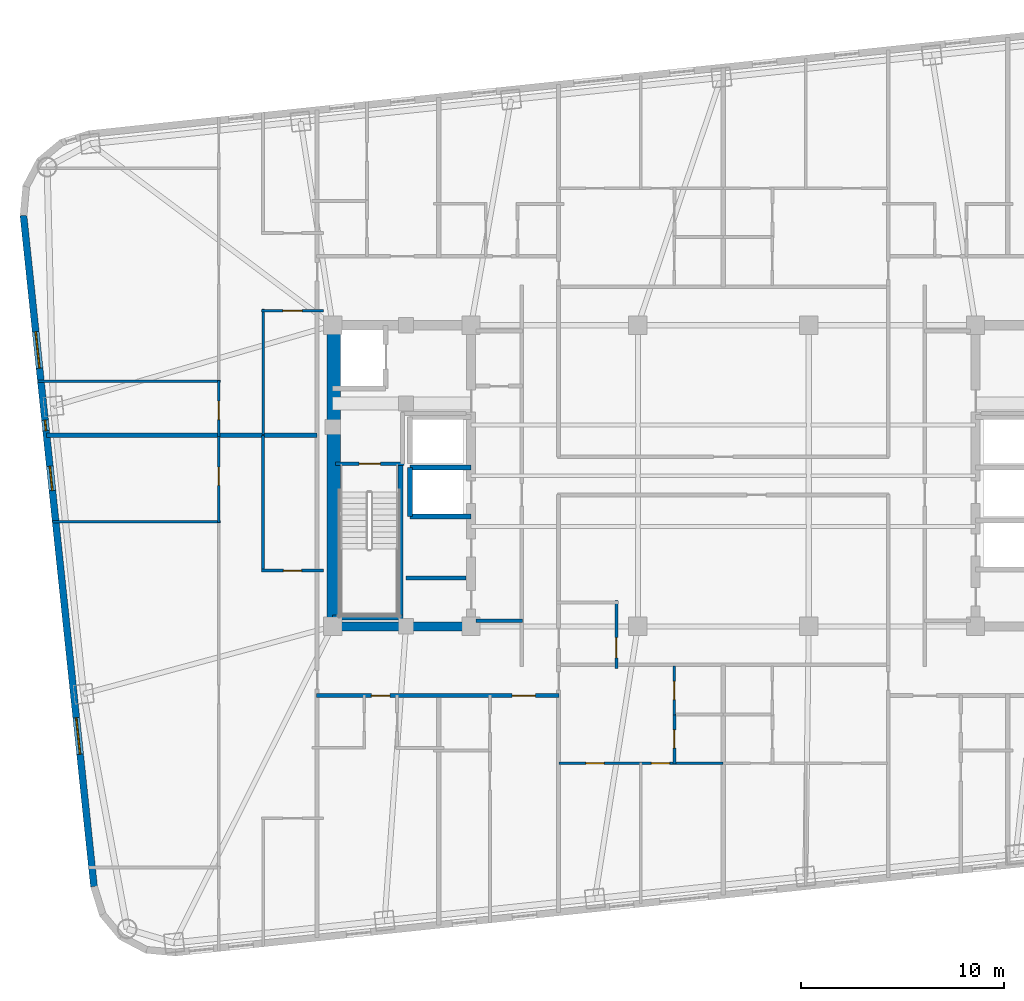
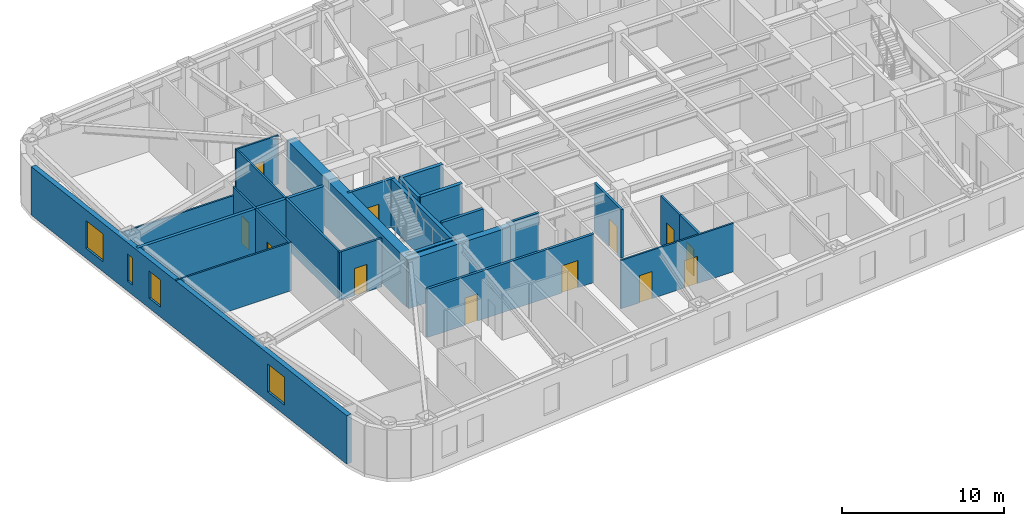
# One storey, part 3 of 11: 25 walls, 12 doors, 4 windows, 16 openings.
"""IFC4 building model written with IfcOpenShell, lengths in metres."""

from ifc_helpers import new_model, si_unit, direction, frame, frame_2d, origin, place, context, subcontext, project, spatial, rectangle, extrude, material, layer, layer_set, type_object, element, fill, save


model = new_model("IFC4")

# Units and contexts
model_context = context("Model", 3, precision=1e-05, world=origin(), true_north=direction((0.0, 1.0)))
body_context = subcontext(model_context, "Body", "Model", "MODEL_VIEW")
ifc_project = project(units=[si_unit("LENGTHUNIT", "METRE"), si_unit("AREAUNIT", "SQUARE_METRE"), si_unit("VOLUMEUNIT", "CUBIC_METRE"), si_unit("PLANEANGLEUNIT", "RADIAN"), si_unit("MASSUNIT", "GRAM", prefix="KILO")], contexts=[model_context])

# Site, building, storey
site_placement = place(None, origin())
site = spatial("IfcSite", under=ifc_project, at=site_placement, CompositionType="ELEMENT")
building_placement = place(site_placement, origin())
building = spatial("IfcBuilding", under=site, at=building_placement, Name="Voryun Gate Residences", CompositionType="ELEMENT")
storey_placement = place(building_placement, frame((0.0, 0.0, 175.5)))
storey = spatial("IfcBuildingStorey", under=building, at=storey_placement, Name="L43", CompositionType="ELEMENT", Elevation=175.5)

# Walls
ifc_material_1 = material(Name="Concrete C50/60", Category="concrete")
ifc_layer_1 = layer(ifc_material_1, 0.449951171875, Name="CW_CORE_450")
ifc_layer_set_1 = layer_set([ifc_layer_1], Name="Concrete C50/60")
wall_type_1 = type_object("IfcWallType", Name="CW_CORE_450", PredefinedType="SHEAR", material=ifc_layer_set_1)
wall_1_placement = place(storey_placement, frame((-19.425048828125, -7.39990234375, 0.0), z_axis=(0.0, 0.0, 1.0), x_axis=(1.0, 0.0, 0.0)))
element("IfcWall", 1, at=wall_1_placement, inside=storey, type_object=wall_type_1, Name="L43 Core shear wall CW-L43-WS", PredefinedType="SHEAR", context=body_context, shape_type="SweptSolid", body=[
    extrude(rectangle(XDim=7.25, YDim=0.449951171875, at=frame_2d((3.625, 0.0))), origin(), (0.0, 0.0, 1.0), 3.64990234375),
])
ifc_material_2 = material(Name="Concrete C60/75", Category="concrete")
ifc_layer_2 = layer(ifc_material_2, 0.64990234375, Name="CW_CORE_650")
ifc_layer_set_2 = layer_set([ifc_layer_2], Name="Concrete C60/75")
wall_type_2 = type_object("IfcWallType", Name="CW_CORE_650", PredefinedType="SHEAR", material=ifc_layer_set_2)
wall_2_placement = place(storey_placement, frame((-19.14501953125, -7.39990234375, 0.0), z_axis=(0.0, 0.0, 1.0), x_axis=(0.0, 1.0, 0.0)))
element("IfcWall", 2, at=wall_2_placement, inside=storey, type_object=wall_type_2, Name="L43 Core shear wall CW-L43-WW", PredefinedType="SHEAR", context=body_context, shape_type="SweptSolid", body=[
    extrude(rectangle(XDim=14.7998046875, YDim=0.64990234375, at=frame_2d((7.39990234375, 0.0))), origin(), (0.0, 0.0, 1.0), 3.64990234375),
])

# Wall, opening, door
ifc_material_3 = material(Name="Gypsum acoustic fireboard")
ifc_layer_3 = layer(ifc_material_3, 0.179931640625, Name="W_CORR_RATED_180")
ifc_layer_set_3 = layer_set([ifc_layer_3], Name="Gypsum acoustic fireboard")
wall_type_3 = type_object("IfcWallType", Name="W_CORR_RATED_180", PredefinedType="PARTITIONING", material=ifc_layer_set_3)
wall_3_placement = place(storey_placement, frame((-19.06005859375, 0.60009765625, 0.0), z_axis=(0.0, 0.0, 1.0), x_axis=(1.0, 0.0, 0.0)))
wall_3 = element("IfcWall", 3, at=wall_3_placement, inside=storey, type_object=wall_type_3, Name="Partition wall WP-L43-STV-W", PredefinedType="PARTITIONING", context=body_context, shape_type="SweptSolid", body=[
    extrude(rectangle(XDim=3.360107421875, YDim=0.179931640625, at=frame_2d((1.68017578125, 0.0))), origin(), (0.0, 0.0, 1.0), 3.64990234375),
])
opening_1_placement = place(wall_3_placement, frame((1.155029296875, 0.0, 0.0)))
opening_1 = element("IfcOpeningElement", 4, at=opening_1_placement, cuts=wall_3, Name="Opening D-FD60-1", PredefinedType="OPENING", context=body_context, shape_type="SweptSolid", body=[
    extrude(rectangle(XDim=1.050048828125, YDim=2.050048828125, at=frame_2d((0.52490234375, 1.02490234375))), frame((0.0, 0.099853515625, 0.0), z_axis=(0.0, -1.0, 0.0), x_axis=(1.0, 0.0, 0.0)), (0.0, 0.0, 1.0), 0.199951171875),
])
ifc_material_4 = material(Name="Painted steel fire door", Category="steel")
door_type_1 = type_object("IfcDoorType", Name="DR_FD60_STAIR_1050", OperationType="NOTDEFINED", PredefinedType="DOOR", material=ifc_material_4)
door_1_placement = place(opening_1_placement, origin())
door_1 = element("IfcDoor", 5, at=door_1_placement, inside=storey, type_object=door_type_1, Name="Door DR-L43-ST-W", OperationType="SINGLE_SWING_LEFT", OverallHeight=2.050048828125, OverallWidth=1.050048828125, PredefinedType="DOOR", context=body_context, shape_type="SweptSolid", body=[
    extrude(rectangle(XDim=1.050048828125, YDim=2.050048828125, at=frame_2d((0.52490234375, 1.02490234375))), frame((0.0, 0.02490234375, 0.0), z_axis=(0.0, -1.0, 0.0), x_axis=(1.0, 0.0, 0.0)), (0.0, 0.0, 1.0), 0.050048828125),
])
fill(opening_1, door_1)

# Wall
wall_4_placement = place(storey_placement, frame((-12.14990234375, -7.1201171875, 0.0), z_axis=(0.0, 0.0, 1.0), x_axis=(1.0, 0.0, 0.0)))
element("IfcWall", 6, at=wall_4_placement, inside=storey, type_object=wall_type_3, Name="Partition wall WP-L43-PLBS-W", PredefinedType="PARTITIONING", context=body_context, shape_type="SweptSolid", body=[
    extrude(rectangle(XDim=2.27001953125, YDim=0.179931640625, at=frame_2d((1.135009765625, 0.0))), origin(), (0.0, 0.0, 1.0), 3.64990234375),
])

# Wall, openings, doors
wall_5_placement = place(storey_placement, frame((-20.0, -10.800048828125, 0.0), z_axis=(0.0, 0.0, 1.0), x_axis=(1.0, 0.0, 0.0)))
wall_5 = element("IfcWall", 7, at=wall_5_placement, inside=storey, type_object=wall_type_3, Name="Partition wall WP-L43-SCORR-W", PredefinedType="PARTITIONING", context=body_context, shape_type="SweptSolid", body=[
    extrude(rectangle(XDim=11.919921875, YDim=0.179931640625, at=frame_2d((5.9599609375, 0.0))), origin(), (0.0, 0.0, 1.0), 3.64990234375),
])
opening_2_placement = place(wall_5_placement, frame((2.705078125, 0.0, 0.0)))
opening_2 = element("IfcOpeningElement", 8, at=opening_2_placement, cuts=wall_5, Name="Opening D-INT-2", PredefinedType="OPENING", context=body_context, shape_type="SweptSolid", body=[
    extrude(rectangle(XDim=0.89990234375, YDim=2.050048828125, at=frame_2d((0.449951171875, 1.02490234375))), frame((0.0, 0.099853515625, 0.0), z_axis=(0.0, -1.0, 0.0), x_axis=(1.0, 0.0, 0.0)), (0.0, 0.0, 1.0), 0.199951171875),
])
opening_3_placement = place(wall_5_placement, frame((9.617919921875, 0.0, 0.0)))
opening_3 = element("IfcOpeningElement", 9, at=opening_3_placement, cuts=wall_5, Name="Opening D-UNIT-1", PredefinedType="OPENING", context=body_context, shape_type="SweptSolid", body=[
    extrude(rectangle(XDim=1.14990234375, YDim=2.050048828125, at=frame_2d((0.574951171875, 1.02490234375))), frame((0.0, 0.099853515625, 0.0), z_axis=(0.0, -1.0, 0.0), x_axis=(1.0, 0.0, 0.0)), (0.0, 0.0, 1.0), 0.199951171875),
])
ifc_material_5 = material(Name="Architectural oak veneer")
door_type_2 = type_object("IfcDoorType", Name="DR_INT_BATH_900", OperationType="NOTDEFINED", PredefinedType="DOOR", material=ifc_material_5)
door_2_placement = place(opening_2_placement, origin())
door_2 = element("IfcDoor", 10, at=door_2_placement, inside=storey, type_object=door_type_2, Name="Door DR-L43-SENT-1", OperationType="SINGLE_SWING_RIGHT", OverallHeight=2.050048828125, OverallWidth=0.89990234375, PredefinedType="DOOR", context=body_context, shape_type="SweptSolid", body=[
    extrude(rectangle(XDim=0.89990234375, YDim=2.050048828125, at=frame_2d((0.449951171875, 1.02490234375))), frame((0.0, 0.02490234375, 0.0), z_axis=(0.0, -1.0, 0.0), x_axis=(1.0, 0.0, 0.0)), (0.0, 0.0, 1.0), 0.050048828125),
])
fill(opening_2, door_2)
ifc_material_6 = material(Name="Armoured timber-clad fire door", Category="wood")
door_type_3 = type_object("IfcDoorType", Name="DR_UNIT_ENTRY_1150", OperationType="NOTDEFINED", PredefinedType="DOOR", material=ifc_material_6)
door_3_placement = place(opening_3_placement, origin())
door_3 = element("IfcDoor", 11, at=door_3_placement, inside=storey, type_object=door_type_3, Name="Door DR-L43-SENT-2", OperationType="SINGLE_SWING_LEFT", OverallHeight=2.050048828125, OverallWidth=1.14990234375, PredefinedType="DOOR", context=body_context, shape_type="SweptSolid", body=[
    extrude(rectangle(XDim=1.14990234375, YDim=2.050048828125, at=frame_2d((0.574951171875, 1.02490234375))), frame((0.0, 0.02490234375, 0.0), z_axis=(0.0, -1.0, 0.0), x_axis=(1.0, 0.0, 0.0)), (0.0, 0.0, 1.0), 0.050048828125),
])
fill(opening_3, door_3)

# Wall, openings, windows
ifc_material_7 = material(Name="Charcoal terracotta masonry", Category="masonry")
ifc_layer_4 = layer(ifc_material_7, 0.340087890625, Name="W_EXT_TERRACOTTA_340")
ifc_layer_set_4 = layer_set([ifc_layer_4], Name="Charcoal terracotta masonry")
wall_type_4 = type_object("IfcWallType", Name="W_EXT_TERRACOTTA_340", PredefinedType="ELEMENTEDWALL", material=ifc_layer_set_4)
wall_6_placement = place(storey_placement, frame((-30.934326171875, -20.189697265625, 0.0), z_axis=(0.0, 0.0, 1.0), x_axis=(-0.10452691388, 0.994522058214, 0.0)))
wall_6 = element("IfcWall", 12, at=wall_6_placement, inside=storey, type_object=wall_type_4, Name="Exterior wall WEXT-L43-06", PredefinedType="ELEMENTEDWALL", context=body_context, shape_type="SweptSolid", body=[
    extrude(rectangle(XDim=33.16650390625, YDim=0.340087890625, at=frame_2d((16.583251953125, 0.0))), origin(), (0.0, 0.0, 1.0), 3.64990234375),
])
opening_4_placement = place(wall_6_placement, frame((6.54150390625, 0.0, 0.75)))
opening_4 = element("IfcOpeningElement", 13, at=opening_4_placement, cuts=wall_6, Name="Opening WN1", PredefinedType="OPENING", context=body_context, shape_type="SweptSolid", body=[
    extrude(rectangle(XDim=1.800048828125, YDim=2.10009765625, at=frame_2d((0.89990234375, 1.050048828125))), frame((0.0, 0.179931640625, 0.0), z_axis=(0.0, -1.0, 0.0), x_axis=(1.0, 0.0, 0.0)), (0.0, 0.0, 1.0), 0.360107421875),
])
opening_5_placement = place(wall_6_placement, frame((25.625, 0.0, 0.75)))
opening_5 = element("IfcOpeningElement", 14, at=opening_5_placement, cuts=wall_6, Name="Opening WN1", PredefinedType="OPENING", context=body_context, shape_type="SweptSolid", body=[
    extrude(rectangle(XDim=1.800048828125, YDim=2.10009765625, at=frame_2d((0.89990234375, 1.050048828125))), frame((0.0, 0.179931640625, 0.0), z_axis=(0.0, -1.0, 0.0), x_axis=(1.0, 0.0, 0.0)), (0.0, 0.0, 1.0), 0.360107421875),
])
opening_6_placement = place(wall_6_placement, frame((19.57373046875, 0.0, 0.75)))
opening_6 = element("IfcOpeningElement", 15, at=opening_6_placement, cuts=wall_6, Name="Opening WN6", PredefinedType="OPENING", context=body_context, shape_type="SweptSolid", body=[
    extrude(rectangle(XDim=1.199951171875, YDim=2.050048828125, at=frame_2d((0.60009765625, 1.02490234375))), frame((0.0, 0.179931640625, 0.0), z_axis=(0.0, -1.0, 0.0), x_axis=(1.0, 0.0, 0.0)), (0.0, 0.0, 1.0), 0.360107421875),
])
opening_7_placement = place(wall_6_placement, frame((22.537353515625, 0.0, 0.75)))
opening_7 = element("IfcOpeningElement", 16, at=opening_7_placement, cuts=wall_6, Name="Opening WN10", PredefinedType="OPENING", context=body_context, shape_type="SweptSolid", body=[
    extrude(rectangle(XDim=0.52001953125, YDim=2.050048828125, at=frame_2d((0.260009765625, 1.02490234375))), frame((0.0, 0.179931640625, 0.0), z_axis=(0.0, -1.0, 0.0), x_axis=(1.0, 0.0, 0.0)), (0.0, 0.0, 1.0), 0.360107421875),
])
ifc_material_8 = material(Name="Laminated low-E glass", Category="glass")
window_type_1 = type_object("IfcWindowType", Name="WN_PAGODA_LANCET_520", PartitioningType="SINGLE_PANEL", PredefinedType="WINDOW", material=ifc_material_8)
window_1_placement = place(opening_7_placement, origin())
window_1 = element("IfcWindow", 17, at=window_1_placement, inside=storey, type_object=window_type_1, Name="Window WN-L43-DWFIX-25", OverallHeight=2.050048828125, OverallWidth=0.52001953125, PartitioningType="SINGLE_PANEL", PredefinedType="WINDOW", context=body_context, shape_type="SweptSolid", body=[
    extrude(rectangle(XDim=0.52001953125, YDim=2.050048828125, at=frame_2d((0.260009765625, 1.02490234375))), frame((0.0, 0.030029296875, 0.0), z_axis=(0.0, -1.0, 0.0), x_axis=(1.0, 0.0, 0.0)), (0.0, 0.0, 1.0), 0.06005859375),
])
fill(opening_7, window_1)
ifc_material_9 = material(Name="Laminated low-E glass", Category="glass")
window_type_2 = type_object("IfcWindowType", Name="WN_POD_SLOT_1200", PartitioningType="SINGLE_PANEL", PredefinedType="WINDOW", material=ifc_material_9)
window_2_placement = place(opening_6_placement, origin())
window_2 = element("IfcWindow", 18, at=window_2_placement, inside=storey, type_object=window_type_2, Name="Window WN-L43-DWFIX-21", OverallHeight=2.050048828125, OverallWidth=1.199951171875, PartitioningType="SINGLE_PANEL", PredefinedType="WINDOW", context=body_context, shape_type="SweptSolid", body=[
    extrude(rectangle(XDim=1.199951171875, YDim=2.050048828125, at=frame_2d((0.60009765625, 1.02490234375))), frame((0.0, 0.030029296875, 0.0), z_axis=(0.0, -1.0, 0.0), x_axis=(1.0, 0.0, 0.0)), (0.0, 0.0, 1.0), 0.06005859375),
])
fill(opening_6, window_2)
ifc_material_10 = material(Name="Laminated low-E glass", Category="glass")
window_type_3 = type_object("IfcWindowType", Name="WN_RES_PUNCH_1800", PartitioningType="SINGLE_PANEL", PredefinedType="WINDOW", material=ifc_material_10)
window_3_placement = place(opening_4_placement, origin())
window_3 = element("IfcWindow", 19, at=window_3_placement, inside=storey, type_object=window_type_3, Name="Window WN-WEXT-L43-06-01", OverallHeight=2.10009765625, OverallWidth=1.800048828125, PartitioningType="SINGLE_PANEL", PredefinedType="WINDOW", context=body_context, shape_type="SweptSolid", body=[
    extrude(rectangle(XDim=1.800048828125, YDim=2.10009765625, at=frame_2d((0.89990234375, 1.050048828125))), frame((0.0, 0.030029296875, 0.0), z_axis=(0.0, -1.0, 0.0), x_axis=(1.0, 0.0, 0.0)), (0.0, 0.0, 1.0), 0.06005859375),
])
fill(opening_4, window_3)
window_4_placement = place(opening_5_placement, origin())
window_4 = element("IfcWindow", 20, at=window_4_placement, inside=storey, type_object=window_type_3, Name="Window WN-WEXT-L43-06-02", OverallHeight=2.10009765625, OverallWidth=1.800048828125, PartitioningType="SINGLE_PANEL", PredefinedType="WINDOW", context=body_context, shape_type="SweptSolid", body=[
    extrude(rectangle(XDim=1.800048828125, YDim=2.10009765625, at=frame_2d((0.89990234375, 1.050048828125))), frame((0.0, 0.030029296875, 0.0), z_axis=(0.0, -1.0, 0.0), x_axis=(1.0, 0.0, 0.0)), (0.0, 0.0, 1.0), 0.06005859375),
])
fill(opening_5, window_4)

# Walls
ifc_material_11 = material(Name="Concrete C40/50", Category="concrete")
ifc_layer_5 = layer(ifc_material_11, 0.199951171875, Name="W_FF_LOBBY_200")
ifc_layer_set_5 = layer_set([ifc_layer_5], Name="Concrete C40/50")
wall_type_5 = type_object("IfcWallType", Name="W_FF_LOBBY_200", PredefinedType="PARTITIONING", material=ifc_layer_set_5)
wall_7_placement = place(storey_placement, frame((-15.60009765625, -5.030029296875, 0.0), z_axis=(0.0, 0.0, 1.0), x_axis=(1.0, 0.0, 0.0)))
element("IfcWall", 21, at=wall_7_placement, inside=storey, type_object=wall_type_5, Name="Partition wall WP-L43-RECWB", PredefinedType="PARTITIONING", context=body_context, shape_type="SweptSolid", body=[
    extrude(rectangle(XDim=2.940185546875, YDim=0.199951171875, at=frame_2d((1.47021484375, 0.0))), origin(), (0.0, 0.0, 1.0), 3.64990234375),
])
ifc_material_12 = material(Name="Concrete C40/50", Category="concrete")
ifc_layer_6 = layer(ifc_material_12, 0.219970703125, Name="W_PARTY_ACOUSTIC_220")
ifc_layer_set_6 = layer_set([ifc_layer_6], Name="Concrete C40/50")
wall_type_6 = type_object("IfcWallType", Name="W_PARTY_ACOUSTIC_220", PredefinedType="PARTITIONING", material=ifc_layer_set_6)
wall_8_placement = place(storey_placement, frame((-19.969970703125, 2.0, 0.0), z_axis=(0.0, 0.0, 1.0), x_axis=(-1.0, 0.0, 0.0)))
element("IfcWall", 22, at=wall_8_placement, inside=storey, type_object=wall_type_6, Name="Partition wall WP-L43-WPTY", PredefinedType="PARTITIONING", context=body_context, shape_type="SweptSolid", body=[
    extrude(rectangle(XDim=13.296630859375, YDim=0.219970703125, at=frame_2d((6.6484375, 0.0))), origin(), (0.0, 0.0, 1.0), 3.64990234375),
])
ifc_material_13 = material(Name="Concrete C50/60", Category="concrete")
ifc_layer_7 = layer(ifc_material_13, 0.25, Name="W_SHAFT_RC250")
ifc_layer_set_7 = layer_set([ifc_layer_7], Name="Concrete C50/60")
wall_type_7 = type_object("IfcWallType", Name="W_SHAFT_RC250", PredefinedType="SOLIDWALL", material=ifc_layer_set_7)
wall_9_placement = place(storey_placement, frame((-15.860107421875, -7.0849609375, 0.0), z_axis=(0.0, 0.0, 1.0), x_axis=(0.0, 1.0, 0.0)))
element("IfcWall", 23, at=wall_9_placement, inside=storey, type_object=wall_type_7, Name="L43 Stair shaft structural wall W-STR", PredefinedType="SOLIDWALL", context=body_context, shape_type="SweptSolid", body=[
    extrude(rectangle(XDim=7.68505859375, YDim=0.25, at=frame_2d((3.842529296875, 0.0))), origin(), (0.0, 0.0, 1.0), 3.64990234375),
])
wall_10_placement = place(storey_placement, frame((-19.199951171875, -6.965087890625, 0.0), z_axis=(0.0, 0.0, 1.0), x_axis=(1.0, 0.0, 0.0)))
element("IfcWall", 24, at=wall_10_placement, inside=storey, type_object=wall_type_7, Name="L43 Stair shaft structural wall W-STS", PredefinedType="SOLIDWALL", context=body_context, shape_type="SweptSolid", body=[
    extrude(rectangle(XDim=3.4599609375, YDim=0.25, at=frame_2d((1.72998046875, 0.0))), origin(), (0.0, 0.0, 1.0), 3.64990234375),
])
for number, where, z_axis, x_axis, name in (
    (25, (-15.39990234375, -2.0, 0.0), (0.0, 0.0, 1.0), (1.0, 0.0, 0.0), "Lift shaft wall WSH-L43-EL-P4-S"),
    (26, (-12.39990234375, 0.39990234375, 0.0), (0.0, 0.0, 1.0), (-1.0, 0.0, 0.0), "Lift shaft wall WSH-L43-EL-P4-N"),
):
    element("IfcWall", number, at=place(storey_placement, frame(where, z_axis=z_axis, x_axis=x_axis)), inside=storey, type_object=wall_type_7, Name=name, PredefinedType="SOLIDWALL", context=body_context, shape_type="SweptSolid", body=[
        extrude(rectangle(XDim=3.0, YDim=0.25, at=frame_2d((1.5, 0.0))), origin(), (0.0, 0.0, 1.0), 3.64990234375),
    ])
wall_11_placement = place(storey_placement, frame((-15.39990234375, 0.39990234375, 0.0), z_axis=(0.0, 0.0, 1.0), x_axis=(0.0, -1.0, 0.0)))
element("IfcWall", 27, at=wall_11_placement, inside=storey, type_object=wall_type_7, Name="Lift shaft wall WSH-L43-EL-P4-W", PredefinedType="SOLIDWALL", context=body_context, shape_type="SweptSolid", body=[
    extrude(rectangle(XDim=2.39990234375, YDim=0.25, at=frame_2d((1.199951171875, 0.0))), origin(), (0.0, 0.0, 1.0), 3.64990234375),
])

# Wall, openings, doors
ifc_material_14 = material(Name="Gypsum acoustic partition")
ifc_layer_8 = layer(ifc_material_14, 0.125, Name="W_UNIT_PART_125")
ifc_layer_set_8 = layer_set([ifc_layer_8], Name="Gypsum acoustic partition")
wall_type_8 = type_object("IfcWallType", Name="W_UNIT_PART_125", PredefinedType="PARTITIONING", material=ifc_layer_set_8)
wall_12_placement = place(storey_placement, frame((-8.080078125, -14.1298828125, 0.0), z_axis=(0.0, 0.0, 1.0), x_axis=(1.0, 0.0, 0.0)))
wall_12 = element("IfcWall", 28, at=wall_12_placement, inside=storey, type_object=wall_type_8, Name="Partition wall WP-L43-SC1-HZ", PredefinedType="PARTITIONING", context=body_context, shape_type="SweptSolid", body=[
    extrude(rectangle(XDim=8.06005859375, YDim=0.125, at=frame_2d((4.030029296875, 0.0))), origin(), (0.0, 0.0, 1.0), 3.64990234375),
])
opening_8_placement = place(wall_12_placement, frame((1.3232421875, 0.0, 0.0)))
opening_8 = element("IfcOpeningElement", 29, at=opening_8_placement, cuts=wall_12, Name="Opening D-INT-2", PredefinedType="OPENING", context=body_context, shape_type="SweptSolid", body=[
    extrude(rectangle(XDim=0.89990234375, YDim=2.050048828125, at=frame_2d((0.449951171875, 1.02490234375))), frame((0.0, 0.072509765625, 0.0), z_axis=(0.0, -1.0, 0.0), x_axis=(1.0, 0.0, 0.0)), (0.0, 0.0, 1.0), 0.14501953125),
])
opening_9_placement = place(wall_12_placement, frame((4.547119140625, 0.0, 0.0)))
opening_9 = element("IfcOpeningElement", 30, at=opening_9_placement, cuts=wall_12, Name="Opening D-INT-2", PredefinedType="OPENING", context=body_context, shape_type="SweptSolid", body=[
    extrude(rectangle(XDim=0.89990234375, YDim=2.050048828125, at=frame_2d((0.449951171875, 1.02490234375))), frame((0.0, 0.072509765625, 0.0), z_axis=(0.0, -1.0, 0.0), x_axis=(1.0, 0.0, 0.0)), (0.0, 0.0, 1.0), 0.14501953125),
])
door_4_placement = place(opening_8_placement, origin())
door_4 = element("IfcDoor", 31, at=door_4_placement, inside=storey, type_object=door_type_2, Name="Door DR-L43-SC1-DMB", OperationType="SINGLE_SWING_LEFT", OverallHeight=2.050048828125, OverallWidth=0.89990234375, PredefinedType="DOOR", context=body_context, shape_type="SweptSolid", body=[
    extrude(rectangle(XDim=0.89990234375, YDim=2.050048828125, at=frame_2d((0.449951171875, 1.02490234375))), frame((0.0, 0.02490234375, 0.0), z_axis=(0.0, -1.0, 0.0), x_axis=(1.0, 0.0, 0.0)), (0.0, 0.0, 1.0), 0.050048828125),
])
fill(opening_8, door_4)
door_5_placement = place(opening_9_placement, origin())
door_5 = element("IfcDoor", 32, at=door_5_placement, inside=storey, type_object=door_type_2, Name="Door DR-L43-SC1-DBD2", OperationType="SINGLE_SWING_RIGHT", OverallHeight=2.050048828125, OverallWidth=0.89990234375, PredefinedType="DOOR", context=body_context, shape_type="SweptSolid", body=[
    extrude(rectangle(XDim=0.89990234375, YDim=2.050048828125, at=frame_2d((0.449951171875, 1.02490234375))), frame((0.0, 0.02490234375, 0.0), z_axis=(0.0, -1.0, 0.0), x_axis=(1.0, 0.0, 0.0)), (0.0, 0.0, 1.0), 0.050048828125),
])
fill(opening_9, door_5)

# Wall, opening, door
wall_13_placement = place(storey_placement, frame((-2.409912109375, -11.760009765625, 0.0), z_axis=(0.0, 0.0, 1.0), x_axis=(0.0, 1.0, 0.0)))
wall_13 = element("IfcWall", 33, at=wall_13_placement, inside=storey, type_object=wall_type_8, Name="Partition wall WP-L43-SC1-VK1", PredefinedType="PARTITIONING", context=body_context, shape_type="SweptSolid", body=[
    extrude(rectangle(XDim=2.409912109375, YDim=0.125, at=frame_2d((1.205078125, 0.0))), origin(), (0.0, 0.0, 1.0), 3.64990234375),
])
opening_10_placement = place(wall_13_placement, frame((0.7548828125, 0.0, 0.0)))
opening_10 = element("IfcOpeningElement", 34, at=opening_10_placement, cuts=wall_13, Name="Opening D-INT-2", PredefinedType="OPENING", context=body_context, shape_type="SweptSolid", body=[
    extrude(rectangle(XDim=0.89990234375, YDim=2.050048828125, at=frame_2d((0.449951171875, 1.02490234375))), frame((0.0, 0.072509765625, 0.0), z_axis=(0.0, -1.0, 0.0), x_axis=(1.0, 0.0, 0.0)), (0.0, 0.0, 1.0), 0.14501953125),
])
door_6_placement = place(opening_10_placement, origin())
door_6 = element("IfcDoor", 35, at=door_6_placement, inside=storey, type_object=door_type_2, Name="Door DR-L43-SC1-DK", OperationType="SINGLE_SWING_LEFT", OverallHeight=2.050048828125, OverallWidth=0.89990234375, PredefinedType="DOOR", context=body_context, shape_type="SweptSolid", body=[
    extrude(rectangle(XDim=0.89990234375, YDim=2.050048828125, at=frame_2d((0.449951171875, 1.02490234375))), frame((0.0, 0.02490234375, 0.0), z_axis=(0.0, -1.0, 0.0), x_axis=(1.0, 0.0, 0.0)), (0.0, 0.0, 1.0), 0.050048828125),
])
fill(opening_10, door_6)

# Wall
wall_14_placement = place(storey_placement, frame((-32.970703125, -2.248046875, 0.0), z_axis=(0.0, 0.0, 1.0), x_axis=(1.0, 0.0, 0.0)))
element("IfcWall", 36, at=wall_14_placement, inside=storey, type_object=wall_type_8, Name="Partition wall WP-L43-W1-OH2", PredefinedType="PARTITIONING", context=body_context, shape_type="SweptSolid", body=[
    extrude(rectangle(XDim=8.250732421875, YDim=0.125, at=frame_2d((4.12548828125, 0.0))), origin(), (0.0, 0.0, 1.0), 3.64990234375),
])

# Wall, opening, door
wall_15_placement = place(storey_placement, frame((-24.800048828125, -2.298095703125, 0.0), z_axis=(0.0, 0.0, 1.0), x_axis=(0.0, 1.0, 0.0)))
wall_15 = element("IfcWall", 37, at=wall_15_placement, inside=storey, type_object=wall_type_8, Name="Partition wall WP-L43-W1-OVX3", PredefinedType="PARTITIONING", context=body_context, shape_type="SweptSolid", body=[
    extrude(rectangle(XDim=4.360595703125, YDim=0.125, at=frame_2d((2.18017578125, 0.0))), origin(), (0.0, 0.0, 1.0), 3.64990234375),
])
opening_11_placement = place(wall_15_placement, frame((1.8291015625, 0.0, 0.0)))
opening_11 = element("IfcOpeningElement", 38, at=opening_11_placement, cuts=wall_15, Name="Opening D-INT-2", PredefinedType="OPENING", context=body_context, shape_type="SweptSolid", body=[
    extrude(rectangle(XDim=0.89990234375, YDim=2.050048828125, at=frame_2d((0.449951171875, 1.02490234375))), frame((0.0, 0.072509765625, 0.0), z_axis=(0.0, -1.0, 0.0), x_axis=(1.0, 0.0, 0.0)), (0.0, 0.0, 1.0), 0.14501953125),
])
door_7_placement = place(opening_11_placement, origin())
door_7 = element("IfcDoor", 39, at=door_7_placement, inside=storey, type_object=door_type_2, Name="Door DR-L43-W1-DMB", OperationType="SINGLE_SWING_LEFT", OverallHeight=2.050048828125, OverallWidth=0.89990234375, PredefinedType="DOOR", context=body_context, shape_type="SweptSolid", body=[
    extrude(rectangle(XDim=0.89990234375, YDim=2.050048828125, at=frame_2d((0.449951171875, 1.02490234375))), frame((0.0, 0.02490234375, 0.0), z_axis=(0.0, -1.0, 0.0), x_axis=(1.0, 0.0, 0.0)), (0.0, 0.0, 1.0), 0.050048828125),
])
fill(opening_11, door_7)

# Wall
wall_16_placement = place(storey_placement, frame((-33.69482421875, 4.64111328125, 0.0), z_axis=(0.0, 0.0, 1.0), x_axis=(1.0, 0.0, 0.0)))
element("IfcWall", 40, at=wall_16_placement, inside=storey, type_object=wall_type_8, Name="Partition wall WP-L43-W2-OH1", PredefinedType="PARTITIONING", context=body_context, shape_type="SweptSolid", body=[
    extrude(rectangle(XDim=8.974853515625, YDim=0.125, at=frame_2d((4.4873046875, 0.0))), origin(), (0.0, 0.0, 1.0), 3.0400390625),
])

# Wall, opening, door
wall_17_placement = place(storey_placement, frame((-24.800048828125, 1.9375, 0.0), z_axis=(0.0, 0.0, 1.0), x_axis=(0.0, 1.0, 0.0)))
wall_17 = element("IfcWall", 41, at=wall_17_placement, inside=storey, type_object=wall_type_8, Name="Partition wall WP-L43-W2-OVX1", PredefinedType="PARTITIONING", context=body_context, shape_type="SweptSolid", body=[
    extrude(rectangle(XDim=2.75341796875, YDim=0.125, at=frame_2d((1.376708984375, 0.0))), origin(), (0.0, 0.0, 1.0), 3.64990234375),
])
opening_12_placement = place(wall_17_placement, frame((0.827880859375, 0.0, 0.0)))
opening_12 = element("IfcOpeningElement", 42, at=opening_12_placement, cuts=wall_17, Name="Opening D-INT-2", PredefinedType="OPENING", context=body_context, shape_type="SweptSolid", body=[
    extrude(rectangle(XDim=0.89990234375, YDim=2.050048828125, at=frame_2d((0.449951171875, 1.02490234375))), frame((0.0, 0.072509765625, 0.0), z_axis=(0.0, -1.0, 0.0), x_axis=(1.0, 0.0, 0.0)), (0.0, 0.0, 1.0), 0.14501953125),
])
door_8_placement = place(opening_12_placement, origin())
door_8 = element("IfcDoor", 43, at=door_8_placement, inside=storey, type_object=door_type_2, Name="Door DR-L43-W2-DBD2", OperationType="SINGLE_SWING_LEFT", OverallHeight=2.050048828125, OverallWidth=0.89990234375, PredefinedType="DOOR", context=body_context, shape_type="SweptSolid", body=[
    extrude(rectangle(XDim=0.89990234375, YDim=2.050048828125, at=frame_2d((0.449951171875, 1.02490234375))), frame((0.0, 0.02490234375, 0.0), z_axis=(0.0, -1.0, 0.0), x_axis=(1.0, 0.0, 0.0)), (0.0, 0.0, 1.0), 0.050048828125),
])
fill(opening_12, door_8)

wall_18_placement = place(storey_placement, frame((-22.699951171875, 8.112060546875, 0.0), z_axis=(0.0, 0.0, 1.0), x_axis=(1.0, 0.0, 0.0)))
wall_18 = element("IfcWall", 44, at=wall_18_placement, inside=storey, type_object=wall_type_8, Name="Partition wall WP-L43-W2-IKA", PredefinedType="PARTITIONING", context=body_context, shape_type="SweptSolid", body=[
    extrude(rectangle(XDim=3.050048828125, YDim=0.125, at=frame_2d((1.52490234375, 0.0))), origin(), (0.0, 0.0, 1.0), 3.64990234375),
])
opening_13_placement = place(wall_18_placement, frame((1.050048828125, 0.0, 0.0)))
opening_13 = element("IfcOpeningElement", 45, at=opening_13_placement, cuts=wall_18, Name="Opening D-INT-1", PredefinedType="OPENING", context=body_context, shape_type="SweptSolid", body=[
    extrude(rectangle(XDim=0.949951171875, YDim=2.050048828125, at=frame_2d((0.47509765625, 1.02490234375))), frame((0.0, 0.072509765625, 0.0), z_axis=(0.0, -1.0, 0.0), x_axis=(1.0, 0.0, 0.0)), (0.0, 0.0, 1.0), 0.14501953125),
])
ifc_material_15 = material(Name="Architectural oak veneer")
door_type_4 = type_object("IfcDoorType", Name="DR_INT_ROOM_950", OperationType="NOTDEFINED", PredefinedType="DOOR", material=ifc_material_15)
door_9_placement = place(opening_13_placement, origin())
door_9 = element("IfcDoor", 46, at=door_9_placement, inside=storey, type_object=door_type_4, Name="Door DR-L43-W2-DK", OperationType="SINGLE_SWING_LEFT", OverallHeight=2.050048828125, OverallWidth=0.949951171875, PredefinedType="DOOR", context=body_context, shape_type="SweptSolid", body=[
    extrude(rectangle(XDim=0.949951171875, YDim=2.050048828125, at=frame_2d((0.47509765625, 1.02490234375))), frame((0.0, 0.02490234375, 0.0), z_axis=(0.0, -1.0, 0.0), x_axis=(1.0, 0.0, 0.0)), (0.0, 0.0, 1.0), 0.050048828125),
])
fill(opening_13, door_9)

# Wall
wall_19_placement = place(storey_placement, frame((-22.6201171875, 2.02001953125, 0.0), z_axis=(0.0, 0.0, 1.0), x_axis=(0.0, 1.0, 0.0)))
element("IfcWall", 47, at=wall_19_placement, inside=storey, type_object=wall_type_8, Name="Partition wall WP-L43-W2-VTA", PredefinedType="PARTITIONING", context=body_context, shape_type="SweptSolid", body=[
    extrude(rectangle(XDim=6.171875, YDim=0.125, at=frame_2d((3.0859375, 0.0))), origin(), (0.0, 0.0, 1.0), 3.64990234375),
])

# Wall, opening, door
ifc_material_16 = material(Name="Gypsum moisture-resistant partition")
ifc_layer_9 = layer(ifc_material_16, 0.14990234375, Name="W_WET_PLUMB_150")
ifc_layer_set_9 = layer_set([ifc_layer_9], Name="Gypsum moisture-resistant partition")
wall_type_9 = type_object("IfcWallType", Name="W_WET_PLUMB_150", PredefinedType="PLUMBINGWALL", material=ifc_layer_set_9)
wall_20_placement = place(storey_placement, frame((-5.260009765625, -9.469970703125, 0.0), z_axis=(0.0, 0.0, 1.0), x_axis=(0.0, 1.0, 0.0)))
wall_20 = element("IfcWall", 48, at=wall_20_placement, inside=storey, type_object=wall_type_9, Name="Partition wall WP-L43-CMWCX", PredefinedType="PLUMBINGWALL", context=body_context, shape_type="SweptSolid", body=[
    extrude(rectangle(XDim=3.349853515625, YDim=0.14990234375, at=frame_2d((1.6748046875, 0.0))), origin(), (0.0, 0.0, 1.0), 3.64990234375),
])
opening_14_placement = place(wall_20_placement, frame((0.514892578125, 0.0, 0.0)))
opening_14 = element("IfcOpeningElement", 49, at=opening_14_placement, cuts=wall_20, Name="Opening D-AWC-1", PredefinedType="OPENING", context=body_context, shape_type="SweptSolid", body=[
    extrude(rectangle(XDim=1.0, YDim=2.050048828125, at=frame_2d((0.5, 1.02490234375))), frame((0.0, 0.0849609375, 0.0), z_axis=(0.0, -1.0, 0.0), x_axis=(1.0, 0.0, 0.0)), (0.0, 0.0, 1.0), 0.169921875),
])
ifc_material_17 = material(Name="Architectural oak veneer")
door_type_5 = type_object("IfcDoorType", Name="DR_ACC_WC_1000", OperationType="NOTDEFINED", PredefinedType="DOOR", material=ifc_material_17)
door_10_placement = place(opening_14_placement, origin())
door_10 = element("IfcDoor", 50, at=door_10_placement, inside=storey, type_object=door_type_5, Name="Door DR-L43-CMWC", OperationType="SINGLE_SWING_LEFT", OverallHeight=2.050048828125, OverallWidth=1.0, PredefinedType="DOOR", context=body_context, shape_type="SweptSolid", body=[
    extrude(rectangle(XDim=1.0, YDim=2.050048828125, at=frame_2d((0.5, 1.02490234375))), frame((0.0, 0.02490234375, 0.0), z_axis=(0.0, -1.0, 0.0), x_axis=(1.0, 0.0, 0.0)), (0.0, 0.0, 1.0), 0.050048828125),
])
fill(opening_14, door_10)

wall_21_placement = place(storey_placement, frame((-2.409912109375, -14.169921875, 0.0), z_axis=(0.0, 0.0, 1.0), x_axis=(0.0, 1.0, 0.0)))
wall_21 = element("IfcWall", 51, at=wall_21_placement, inside=storey, type_object=wall_type_9, Name="Partition wall WP-L43-SC1-VK2", PredefinedType="PLUMBINGWALL", context=body_context, shape_type="SweptSolid", body=[
    extrude(rectangle(XDim=2.469970703125, YDim=0.14990234375, at=frame_2d((1.23486328125, 0.0))), origin(), (0.0, 0.0, 1.0), 3.64990234375),
])
opening_15_placement = place(wall_21_placement, frame((0.784912109375, 0.0, 0.0)))
opening_15 = element("IfcOpeningElement", 52, at=opening_15_placement, cuts=wall_21, Name="Opening D-INT-2", PredefinedType="OPENING", context=body_context, shape_type="SweptSolid", body=[
    extrude(rectangle(XDim=0.89990234375, YDim=2.050048828125, at=frame_2d((0.449951171875, 1.02490234375))), frame((0.0, 0.0849609375, 0.0), z_axis=(0.0, -1.0, 0.0), x_axis=(1.0, 0.0, 0.0)), (0.0, 0.0, 1.0), 0.169921875),
])
door_11_placement = place(opening_15_placement, origin())
door_11 = element("IfcDoor", 53, at=door_11_placement, inside=storey, type_object=door_type_2, Name="Door DR-L43-SC1-DB", OperationType="SINGLE_SWING_RIGHT", OverallHeight=2.050048828125, OverallWidth=0.89990234375, PredefinedType="DOOR", context=body_context, shape_type="SweptSolid", body=[
    extrude(rectangle(XDim=0.89990234375, YDim=2.050048828125, at=frame_2d((0.449951171875, 1.02490234375))), frame((0.0, 0.02490234375, 0.0), z_axis=(0.0, -1.0, 0.0), x_axis=(1.0, 0.0, 0.0)), (0.0, 0.0, 1.0), 0.050048828125),
])
fill(opening_15, door_11)

wall_22_placement = place(storey_placement, frame((-22.699951171875, -4.659912109375, 0.0), z_axis=(0.0, 0.0, 1.0), x_axis=(1.0, 0.0, 0.0)))
wall_22 = element("IfcWall", 54, at=wall_22_placement, inside=storey, type_object=wall_type_9, Name="Partition wall WP-L43-W1-IBB", PredefinedType="PLUMBINGWALL", context=body_context, shape_type="SweptSolid", body=[
    extrude(rectangle(XDim=3.050048828125, YDim=0.14990234375, at=frame_2d((1.52490234375, 0.0))), origin(), (0.0, 0.0, 1.0), 3.64990234375),
])
opening_16_placement = place(wall_22_placement, frame((1.074951171875, 0.0, 0.0)))
opening_16 = element("IfcOpeningElement", 55, at=opening_16_placement, cuts=wall_22, Name="Opening D-INT-2", PredefinedType="OPENING", context=body_context, shape_type="SweptSolid", body=[
    extrude(rectangle(XDim=0.89990234375, YDim=2.050048828125, at=frame_2d((0.449951171875, 1.02490234375))), frame((0.0, 0.0849609375, 0.0), z_axis=(0.0, -1.0, 0.0), x_axis=(1.0, 0.0, 0.0)), (0.0, 0.0, 1.0), 0.169921875),
])
door_12_placement = place(opening_16_placement, origin())
door_12 = element("IfcDoor", 56, at=door_12_placement, inside=storey, type_object=door_type_2, Name="Door DR-L43-W1-DB", OperationType="SINGLE_SWING_RIGHT", OverallHeight=2.050048828125, OverallWidth=0.89990234375, PredefinedType="DOOR", context=body_context, shape_type="SweptSolid", body=[
    extrude(rectangle(XDim=0.89990234375, YDim=2.050048828125, at=frame_2d((0.449951171875, 1.02490234375))), frame((0.0, 0.02490234375, 0.0), z_axis=(0.0, -1.0, 0.0), x_axis=(1.0, 0.0, 0.0)), (0.0, 0.0, 1.0), 0.050048828125),
])
fill(opening_16, door_12)

# Wall
wall_23_placement = place(storey_placement, frame((-22.6201171875, -4.739990234375, 0.0), z_axis=(0.0, 0.0, 1.0), x_axis=(0.0, 1.0, 0.0)))
element("IfcWall", 57, at=wall_23_placement, inside=storey, type_object=wall_type_9, Name="Partition wall WP-L43-W1-VTB", PredefinedType="PLUMBINGWALL", context=body_context, shape_type="SweptSolid", body=[
    extrude(rectangle(XDim=6.719970703125, YDim=0.14990234375, at=frame_2d((3.35986328125, 0.0))), origin(), (0.0, 0.0, 1.0), 3.64990234375),
])

save(model, "model.ifc")
